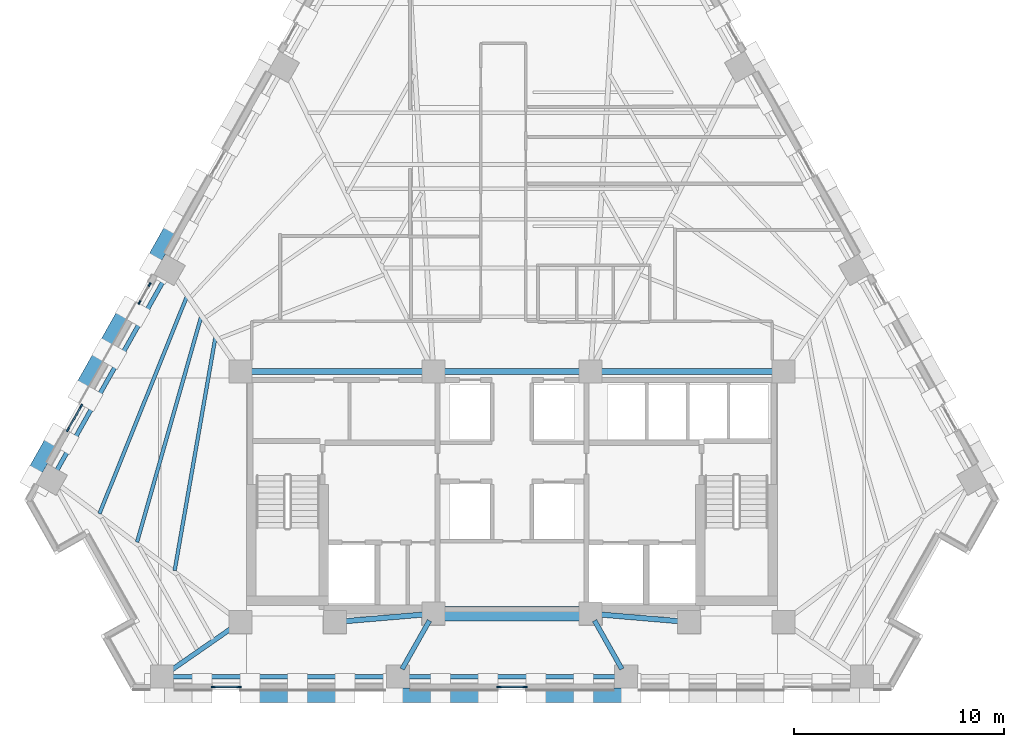
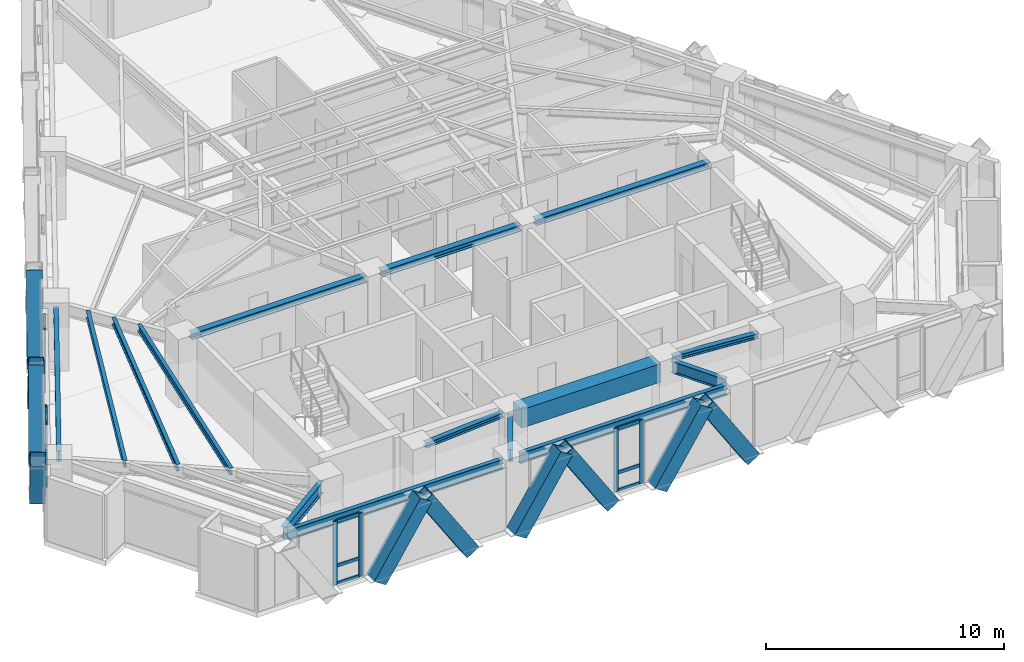
# One storey, part 2 of 13: 27 members, 15 beams, 4 elements without a shape of their own.
"""IFC4 building model written with IfcOpenShell, lengths in metres."""

from ifc_helpers import new_model, si_unit, direction, frame, origin, origin_2d, place, context, subcontext, project, spatial, rectangle, hollow_rectangle, i_section, extrude, material, material_profile, profile_set, type_object, element, aggregate, save


model = new_model("IFC4")

# Units and contexts
model_context = context("Model", 3, precision=1e-05, world=origin(), true_north=direction((0.0, 1.0)))
body_context = subcontext(model_context, "Body", "Model", "MODEL_VIEW")
ifc_project = project(units=[si_unit("LENGTHUNIT", "METRE"), si_unit("AREAUNIT", "SQUARE_METRE"), si_unit("VOLUMEUNIT", "CUBIC_METRE"), si_unit("PLANEANGLEUNIT", "RADIAN"), si_unit("MASSUNIT", "GRAM", prefix="KILO")], contexts=[model_context])

# Site, building, storey
site_placement = place(None, origin())
site = spatial("IfcSite", under=ifc_project, at=site_placement, CompositionType="ELEMENT")
building_placement = place(site_placement, origin())
building = spatial("IfcBuilding", under=site, at=building_placement, Name="Quenlor Broadcast Tower", CompositionType="ELEMENT")
storey_placement = place(building_placement, frame((0.0, 0.0, 116.0)))
storey = spatial("IfcBuildingStorey", under=building, at=storey_placement, Name="L31", CompositionType="ELEMENT", Elevation=116.0)

# Curtain wall, members
ifc_material_1 = material(Name="Architectural Terracotta and Low-E Glazing", Category="masonry")
curtain_wall_type = type_object("IfcCurtainWallType", Name="Unitised Terracotta Curtain Wall System Z2", PredefinedType="NOTDEFINED", material=ifc_material_1)
curtain_wall_1_placement = place(storey_placement, origin())
curtain_wall_1 = element("IfcCurtainWall", 1, at=curtain_wall_1_placement, inside=storey, type_object=curtain_wall_type, Name="L31 Curtain Wall CW2 (L31-SC-G1)", PredefinedType="NOTDEFINED")
ifc_material_2 = material(Name="Aluminium 6063-T6", Category="aluminium")
ifc_material_profile_1 = material_profile(ifc_material_2, rectangle(XDim=0.074951171875, YDim=0.199951171875, at=origin_2d()))
ifc_profile_set_1 = profile_set([ifc_material_profile_1], Name="Aluminium 6063-T6 MULL75x200")
member_type_1 = type_object("IfcMemberType", Name="CW2 Aluminium Mullion MULL_CW2", PredefinedType="MULLION", material=ifc_profile_set_1)
member_1_placement = place(storey_placement, frame((-13.01611328125, -19.840087890625, 0.0), z_axis=(0.0, 0.0, 1.0), x_axis=(0.0, -1.0, 0.0)))
member_1 = element("IfcMember", 2, at=member_1_placement, type_object=member_type_1, Name="CW2 mullion 1", PredefinedType="MULLION", context=body_context, shape_type="SweptSolid", body=[
    extrude(rectangle(XDim=0.074951171875, YDim=0.199951171875, at=origin_2d()), origin(), (0.0, 0.0, 1.0), 3.25),
])
member_2_placement = place(storey_placement, frame((-14.254150390625, -19.840087890625, 0.0), z_axis=(0.0, 0.0, 1.0), x_axis=(0.0, -1.0, 0.0)))
member_2 = element("IfcMember", 3, at=member_2_placement, type_object=member_type_1, Name="CW2 mullion 2", PredefinedType="MULLION", context=body_context, shape_type="SweptSolid", body=[
    extrude(rectangle(XDim=0.074951171875, YDim=0.199951171875, at=origin_2d()), origin(), (0.0, 0.0, 1.0), 3.25),
])

curtain_wall_2_placement = place(storey_placement, origin())
curtain_wall_2 = element("IfcCurtainWall", 4, at=curtain_wall_2_placement, inside=storey, type_object=curtain_wall_type, Name="L31 Curtain Wall CW2 (L31-S-G1)", PredefinedType="NOTDEFINED")
member_3_placement = place(storey_placement, frame((0.618896484375, -19.840087890625, 0.0), z_axis=(0.0, 0.0, 1.0), x_axis=(0.0, -1.0, 0.0)))
member_3 = element("IfcMember", 5, at=member_3_placement, type_object=member_type_1, Name="CW2 mullion 1", PredefinedType="MULLION", context=body_context, shape_type="SweptSolid", body=[
    extrude(rectangle(XDim=0.074951171875, YDim=0.199951171875, at=origin_2d()), origin(), (0.0, 0.0, 1.0), 3.25),
])
member_4_placement = place(storey_placement, frame((-0.618896484375, -19.840087890625, 0.0), z_axis=(0.0, 0.0, 1.0), x_axis=(0.0, -1.0, 0.0)))
member_4 = element("IfcMember", 6, at=member_4_placement, type_object=member_type_1, Name="CW2 mullion 2", PredefinedType="MULLION", context=body_context, shape_type="SweptSolid", body=[
    extrude(rectangle(XDim=0.074951171875, YDim=0.199951171875, at=origin_2d()), origin(), (0.0, 0.0, 1.0), 3.25),
])

curtain_wall_3_placement = place(storey_placement, origin())
curtain_wall_3 = element("IfcCurtainWall", 7, at=curtain_wall_3_placement, inside=storey, type_object=curtain_wall_type, Name="L31 Curtain Wall CW2 (L31-NWA-G1)", PredefinedType="NOTDEFINED")
member_5_placement = place(storey_placement, frame((-21.177734375, -7.57568359375, 0.0), z_axis=(0.0, 0.0, 1.0), x_axis=(-0.871565749621, 0.490278639232, 0.0)))
member_5 = element("IfcMember", 8, at=member_5_placement, type_object=member_type_1, Name="CW2 mullion 1", PredefinedType="MULLION", context=body_context, shape_type="SweptSolid", body=[
    extrude(rectangle(XDim=0.074951171875, YDim=0.199951171875, at=origin_2d()), origin(), (0.0, 0.0, 1.0), 3.25),
])
member_6_placement = place(storey_placement, frame((-20.545654296875, -6.451904296875, 0.0), z_axis=(0.0, 0.0, 1.0), x_axis=(-0.871565749621, 0.490278639232, 0.0)))
member_6 = element("IfcMember", 9, at=member_6_placement, type_object=member_type_1, Name="CW2 mullion 2", PredefinedType="MULLION", context=body_context, shape_type="SweptSolid", body=[
    extrude(rectangle(XDim=0.074951171875, YDim=0.199951171875, at=origin_2d()), origin(), (0.0, 0.0, 1.0), 3.25),
])

curtain_wall_4_placement = place(storey_placement, origin())
curtain_wall_4 = element("IfcCurtainWall", 10, at=curtain_wall_4_placement, inside=storey, type_object=curtain_wall_type, Name="L31 Curtain Wall CW2 (L31-NWA-G2)", PredefinedType="NOTDEFINED")
member_7_placement = place(storey_placement, frame((-17.7646484375, -1.508056640625, 0.0), z_axis=(0.0, 0.0, 1.0), x_axis=(-0.871580587336, 0.490252261371, 0.0)))
member_7 = element("IfcMember", 11, at=member_7_placement, type_object=member_type_1, Name="CW2 mullion 1", PredefinedType="MULLION", context=body_context, shape_type="SweptSolid", body=[
    extrude(rectangle(XDim=0.074951171875, YDim=0.199951171875, at=origin_2d()), origin(), (0.0, 0.0, 1.0), 3.25),
])
member_8_placement = place(storey_placement, frame((-17.282958984375, -0.651611328125, 0.0), z_axis=(0.0, 0.0, 1.0), x_axis=(-0.871580587336, 0.490252261371, 0.0)))
member_8 = element("IfcMember", 12, at=member_8_placement, type_object=member_type_1, Name="CW2 mullion 2", PredefinedType="MULLION", context=body_context, shape_type="SweptSolid", body=[
    extrude(rectangle(XDim=0.074951171875, YDim=0.199951171875, at=origin_2d()), origin(), (0.0, 0.0, 1.0), 3.25),
])
aggregate(curtain_wall_4, [member_7, member_8])

# Member
ifc_material_3 = material(Name="Aluminium 6063-T6", Category="aluminium")
ifc_material_profile_2 = material_profile(ifc_material_3, rectangle(XDim=0.074951171875, YDim=0.1650390625, at=origin_2d()))
ifc_profile_set_2 = profile_set([ifc_material_profile_2], Name="Aluminium 6063-T6 TRAN75x165")
member_type_2 = type_object("IfcMemberType", Name="CW2 Aluminium Transom TRAN_CW2", PredefinedType="USERDEFINED", material=ifc_profile_set_2)
member_9_placement = place(storey_placement, frame((-13.0537109375, -19.840087890625, 0.03759765625), z_axis=(-1.0, 0.0, 0.0), x_axis=(0.0, -1.0, 0.0)))
member_9 = element("IfcMember", 13, at=member_9_placement, type_object=member_type_2, Name="CW2 transom 1.1", ObjectType="TRANSOM", PredefinedType="USERDEFINED", context=body_context, shape_type="SweptSolid", body=[
    extrude(rectangle(XDim=0.074951171875, YDim=0.1650390625, at=origin_2d()), origin(), (0.0, 0.0, 1.0), 1.1630859375),
])

member_10_placement = place(storey_placement, frame((-13.0537109375, -19.840087890625, 0.949951171875), z_axis=(-1.0, 0.0, 0.0), x_axis=(0.0, -1.0, 0.0)))
member_10 = element("IfcMember", 14, at=member_10_placement, type_object=member_type_2, Name="CW2 transom 1.2", ObjectType="TRANSOM", PredefinedType="USERDEFINED", context=body_context, shape_type="SweptSolid", body=[
    extrude(rectangle(XDim=0.074951171875, YDim=0.1650390625, at=origin_2d()), origin(), (0.0, 0.0, 1.0), 1.1630859375),
])

member_11_placement = place(storey_placement, frame((-13.0537109375, -19.840087890625, 3.21240234375), z_axis=(-1.0, 0.0, 0.0), x_axis=(0.0, -1.0, 0.0)))
member_11 = element("IfcMember", 15, at=member_11_placement, type_object=member_type_2, Name="CW2 transom 1.3", ObjectType="TRANSOM", PredefinedType="USERDEFINED", context=body_context, shape_type="SweptSolid", body=[
    extrude(rectangle(XDim=0.074951171875, YDim=0.1650390625, at=origin_2d()), origin(), (0.0, 0.0, 1.0), 1.1630859375),
])

aggregate(curtain_wall_1, [member_1, member_2, member_9, member_10, member_11])

member_12_placement = place(storey_placement, frame((0.58154296875, -19.840087890625, 0.03759765625), z_axis=(-1.0, 0.0, 0.0), x_axis=(0.0, -1.0, 0.0)))
member_12 = element("IfcMember", 16, at=member_12_placement, type_object=member_type_2, Name="CW2 transom 1.1", ObjectType="TRANSOM", PredefinedType="USERDEFINED", context=body_context, shape_type="SweptSolid", body=[
    extrude(rectangle(XDim=0.074951171875, YDim=0.1650390625, at=origin_2d()), origin(), (0.0, 0.0, 1.0), 1.1630859375),
])

member_13_placement = place(storey_placement, frame((0.58154296875, -19.840087890625, 0.949951171875), z_axis=(-1.0, 0.0, 0.0), x_axis=(0.0, -1.0, 0.0)))
member_13 = element("IfcMember", 17, at=member_13_placement, type_object=member_type_2, Name="CW2 transom 1.2", ObjectType="TRANSOM", PredefinedType="USERDEFINED", context=body_context, shape_type="SweptSolid", body=[
    extrude(rectangle(XDim=0.074951171875, YDim=0.1650390625, at=origin_2d()), origin(), (0.0, 0.0, 1.0), 1.1630859375),
])

member_14_placement = place(storey_placement, frame((0.58154296875, -19.840087890625, 3.21240234375), z_axis=(-1.0, 0.0, 0.0), x_axis=(0.0, -1.0, 0.0)))
member_14 = element("IfcMember", 18, at=member_14_placement, type_object=member_type_2, Name="CW2 transom 1.3", ObjectType="TRANSOM", PredefinedType="USERDEFINED", context=body_context, shape_type="SweptSolid", body=[
    extrude(rectangle(XDim=0.074951171875, YDim=0.1650390625, at=origin_2d()), origin(), (0.0, 0.0, 1.0), 1.1630859375),
])

aggregate(curtain_wall_2, [member_3, member_4, member_12, member_13, member_14])

member_15_placement = place(storey_placement, frame((-21.159423828125, -7.54296875, 0.03759765625), z_axis=(0.490347143438, 0.871527210661, 0.0), x_axis=(-0.871527210661, 0.490347143438, 0.0)))
member_15 = element("IfcMember", 19, at=member_15_placement, type_object=member_type_2, Name="CW2 transom 1.1", ObjectType="TRANSOM", PredefinedType="USERDEFINED", context=body_context, shape_type="SweptSolid", body=[
    extrude(rectangle(XDim=0.074951171875, YDim=0.1650390625, at=origin_2d()), origin(), (0.0, 0.0, 1.0), 1.21435546875),
])

member_16_placement = place(storey_placement, frame((-21.159423828125, -7.54296875, 0.949951171875), z_axis=(0.490347143438, 0.871527210661, 0.0), x_axis=(-0.871527210661, 0.490347143438, 0.0)))
member_16 = element("IfcMember", 20, at=member_16_placement, type_object=member_type_2, Name="CW2 transom 1.2", ObjectType="TRANSOM", PredefinedType="USERDEFINED", context=body_context, shape_type="SweptSolid", body=[
    extrude(rectangle(XDim=0.074951171875, YDim=0.1650390625, at=origin_2d()), origin(), (0.0, 0.0, 1.0), 1.21435546875),
])

member_17_placement = place(storey_placement, frame((-21.159423828125, -7.54296875, 3.21240234375), z_axis=(0.490347143438, 0.871527210661, 0.0), x_axis=(-0.871527210661, 0.490347143438, 0.0)))
member_17 = element("IfcMember", 21, at=member_17_placement, type_object=member_type_2, Name="CW2 transom 1.3", ObjectType="TRANSOM", PredefinedType="USERDEFINED", context=body_context, shape_type="SweptSolid", body=[
    extrude(rectangle(XDim=0.074951171875, YDim=0.1650390625, at=origin_2d()), origin(), (0.0, 0.0, 1.0), 1.21435546875),
])

aggregate(curtain_wall_3, [member_5, member_6, member_15, member_16, member_17])

# Beams
ifc_material_4 = material(Name="Concrete C50/60", Category="concrete")
ifc_material_profile_3 = material_profile(ifc_material_4, rectangle(XDim=0.699951171875, YDim=0.949951171875, at=origin_2d()))
ifc_profile_set_3 = profile_set([ifc_material_profile_3], Name="Concrete C50/60 RCB700x950")
beam_type_1 = type_object("IfcBeamType", Name="Core Coupling Beam Concrete C50/60 700x950", PredefinedType="BEAM", material=ifc_profile_set_3)
beam_1_placement = place(storey_placement, frame((-3.389892578125, -16.35009765625, 2.77490234375), z_axis=(1.0, 0.0, 0.0), x_axis=(0.0, 1.0, 0.0)))
element("IfcBeam", 22, at=beam_1_placement, inside=storey, type_object=beam_type_1, Name="L31 Core Coupling Beam 6", PredefinedType="BEAM", context=body_context, shape_type="SweptSolid", body=[
    extrude(rectangle(XDim=0.699951171875, YDim=0.949951171875, at=origin_2d()), origin(), (0.0, 0.0, 1.0), 6.77978515625),
])
ifc_material_5 = material(Name="Steel S355", Category="steel")
ifc_material_profile_4 = material_profile(ifc_material_5, i_section(OverallWidth=0.304931640625, OverallDepth=0.30810546875, WebThickness=0.010009765625, FlangeThickness=0.015380859375, FilletRadius=0.0166015625, at=origin_2d()))
ifc_profile_set_4 = profile_set([ifc_material_profile_4], Name="Steel S355 310UC96.8")
beam_type_2 = type_object("IfcBeamType", Name="Core Header Beam Steel S355 310UC96.8", PredefinedType="BEAM", material=ifc_profile_set_4)
beam_2_placement = place(storey_placement, frame((-3.389892578125, -4.800048828125, 3.095947265625), z_axis=(1.0, 0.0, 0.0), x_axis=(0.0, 1.0, 0.0)))
element("IfcBeam", 23, at=beam_2_placement, inside=storey, type_object=beam_type_2, Name="L31 Core Header Beam 2", PredefinedType="BEAM", context=body_context, shape_type="SweptSolid", body=[
    extrude(i_section(OverallWidth=0.304931640625, OverallDepth=0.30810546875, WebThickness=0.010009765625, FlangeThickness=0.015380859375, FilletRadius=0.0166015625, at=origin_2d()), origin(), (0.0, 0.0, 1.0), 6.77978515625),
])
ifc_material_6 = material(Name="Steel S355", Category="steel")
ifc_material_profile_5 = material_profile(ifc_material_6, i_section(OverallWidth=0.25390625, OverallDepth=0.25390625, WebThickness=0.008544921875, FlangeThickness=0.01416015625, FilletRadius=0.013916015625, at=origin_2d()))
ifc_profile_set_5 = profile_set([ifc_material_profile_5], Name="Steel S355 250UC72.9")
beam_type_3 = type_object("IfcBeamType", Name="Core Opening Lintel Beam Steel S355 250UC72.9", PredefinedType="LINTEL", material=ifc_profile_set_5)
for number, where, z_axis, x_axis, name in (
    (24, (-8.09130859375, -16.719482421875, 3.123046875), (0.996399763903, 0.084779186679, 0.0), (-0.084779186679, 0.996399763903, 0.0), "L31 Core Opening Lintel Beam 4"),
    (25, (4.108642578125, -16.380615234375, 3.123046875), (0.996399763903, -0.084779186679, 0.0), (0.084779186679, 0.996399763903, 0.0), "L31 Core Opening Lintel Beam 5"),
):
    element("IfcBeam", number, at=place(storey_placement, frame(where, z_axis=z_axis, x_axis=x_axis)), inside=storey, type_object=beam_type_3, Name=name, PredefinedType="LINTEL", context=body_context, shape_type="SweptSolid", body=[
        extrude(i_section(OverallWidth=0.25390625, OverallDepth=0.25390625, WebThickness=0.008544921875, FlangeThickness=0.01416015625, FilletRadius=0.013916015625, at=origin_2d()), origin(), (0.0, 0.0, 1.0), 3.9970703125),
    ])
ifc_material_7 = material(Name="Steel S355", Category="steel")
ifc_material_profile_6 = material_profile(ifc_material_7, i_section(OverallWidth=0.306884765625, OverallDepth=0.314697265625, WebThickness=0.011962890625, FlangeThickness=0.018798828125, FilletRadius=0.0166015625, at=origin_2d()))
ifc_profile_set_6 = profile_set([ifc_material_profile_6], Name="Steel S355 310UC118")
beam_type_4 = type_object("IfcBeamType", Name="Core Tie Beam Steel S355 310UC118", PredefinedType="BEAM", material=ifc_profile_set_6)
for number, where, z_axis, x_axis, name in (
    (26, (-12.590087890625, -4.800048828125, 3.0927734375), (1.0, 0.0, 0.0), (0.0, 1.0, 0.0), "L31 Core Tie Beam 1"),
    (27, (4.110107421875, -4.800048828125, 3.0927734375), (1.0, 0.0, 0.0), (0.0, 1.0, 0.0), "L31 Core Tie Beam 3"),
):
    element("IfcBeam", number, at=place(storey_placement, frame(where, z_axis=z_axis, x_axis=x_axis)), inside=storey, type_object=beam_type_4, Name=name, PredefinedType="BEAM", context=body_context, shape_type="SweptSolid", body=[
        extrude(i_section(OverallWidth=0.306884765625, OverallDepth=0.314697265625, WebThickness=0.011962890625, FlangeThickness=0.018798828125, FilletRadius=0.0166015625, at=origin_2d()), origin(), (0.0, 0.0, 1.0), 8.47998046875),
    ])

# Members
ifc_material_8 = material(Name="Steel S355", Category="steel")
ifc_material_profile_7 = material_profile(ifc_material_8, hollow_rectangle(XDim=0.679931640625, YDim=0.679931640625, WallThickness=0.030029296875, at=origin_2d()))
ifc_profile_set_7 = profile_set([ifc_material_profile_7], Name="Steel S355 RHS680x680x30")
member_type_3 = type_object("IfcMemberType", Name="Perimeter Diagonal Lattice Brace Z2 Steel S355 RHS680x30", PredefinedType="BRACE", material=ifc_profile_set_7)
for number, where, z_axis, x_axis, name in (
    (28, (5.667724609375, -20.235107421875, -0.1201171875), (-0.539968035679, 0.0, 0.841685523485), (0.0, -1.0, 0.0), "L31 Perimeter Diamond Lattice S-C2S"),
    (29, (-1.14990234375, -20.235107421875, -0.1201171875), (-0.539968035679, 0.0, 0.841685523485), (0.0, -1.0, 0.0), "L31 Perimeter Diamond Lattice S-C3S"),
    (30, (1.14990234375, -20.235107421875, -0.1201171875), (0.539968035679, 0.0, 0.841685523485), (0.0, 1.0, 0.0), "L31 Perimeter Diamond Lattice S-C3B"),
    (31, (-7.967529296875, -20.235107421875, -0.1201171875), (-0.539968035679, 0.0, 0.841685523485), (0.0, -1.0, 0.0), "L31 Perimeter Diamond Lattice S-C4S"),
    (32, (-5.667724609375, -20.235107421875, -0.1201171875), (0.539968035679, 0.0, 0.841685523485), (0.0, 1.0, 0.0), "L31 Perimeter Diamond Lattice S-C4B"),
    (33, (-12.4853515625, -20.235107421875, -0.1201171875), (0.539968035679, 0.0, 0.841685523485), (0.0, 1.0, 0.0), "L31 Perimeter Diamond Lattice S-C5B"),
):
    element("IfcMember", number, at=place(storey_placement, frame(where, z_axis=z_axis, x_axis=x_axis)), inside=storey, type_object=member_type_3, Name=name, PredefinedType="BRACE", context=body_context, shape_type="SweptSolid", body=[
        extrude(hollow_rectangle(XDim=0.679931640625, YDim=0.679931640625, WallThickness=0.030029296875, at=origin_2d()), origin(), (0.0, 0.0, 1.0), 4.158203125),
    ])
for number, where, z_axis, x_axis, name in (
    (34, (-20.63037109375, -5.796630859375, -0.1201171875), (0.268696511206, 0.477585438485, 0.836489290913), (-0.871532878923, 0.490337068716, 0.0), "L31 Perimeter Diamond Lattice NW-C1S"),
    (35, (-21.781494140625, -7.843505859375, -0.1201171875), (-0.268696511206, -0.477585438485, 0.836489290913), (0.871532878923, -0.490337068716, 0.0), "L31 Perimeter Diamond Lattice NW-C1B"),
    (36, (-17.21728515625, 0.27099609375, -0.1201171875), (0.268696511206, 0.477585438485, 0.836489290913), (-0.871532878923, 0.490337068716, 0.0), "L31 Perimeter Diamond Lattice NW-C2S"),
    (37, (-18.368408203125, -1.77587890625, -0.1201171875), (-0.268696511206, -0.477585438485, 0.836489290913), (0.871532878923, -0.490337068716, 0.0), "L31 Perimeter Diamond Lattice NW-C2B"),
):
    element("IfcMember", number, at=place(storey_placement, frame(where, z_axis=z_axis, x_axis=x_axis)), inside=storey, type_object=member_type_3, Name=name, PredefinedType="BRACE", context=body_context, shape_type="SweptSolid", body=[
        extrude(hollow_rectangle(XDim=0.679931640625, YDim=0.679931640625, WallThickness=0.030029296875, at=origin_2d()), origin(), (0.0, 0.0, 1.0), 4.18408203125),
    ])

# Beams
ifc_material_9 = material(Name="Steel S355", Category="steel")
ifc_material_profile_8 = material_profile(ifc_material_9, i_section(OverallWidth=0.208984375, OverallDepth=0.5283203125, WebThickness=0.009521484375, FlangeThickness=0.01318359375, FilletRadius=0.013916015625, at=origin_2d()))
ifc_profile_set_8 = profile_set([ifc_material_profile_8], Name="Steel S355 530UB82.0")
beam_type_5 = type_object("IfcBeamType", Name="Perimeter Spandrel Beam Z2 Steel S355 530UB82.0", PredefinedType="SPANDREL", material=ifc_profile_set_8)
beam_3_placement = place(storey_placement, frame((-16.282470703125, -19.35009765625, 2.98583984375), z_axis=(1.0, 0.0, 0.0), x_axis=(0.0, 1.0, 0.0)))
element("IfcBeam", 38, at=beam_3_placement, inside=storey, type_object=beam_type_5, Name="L31 Spandrel Beam S1-S2", PredefinedType="SPANDREL", context=body_context, shape_type="SweptSolid", body=[
    extrude(i_section(OverallWidth=0.208984375, OverallDepth=0.5283203125, WebThickness=0.009521484375, FlangeThickness=0.01318359375, FilletRadius=0.013916015625, at=origin_2d()), origin(), (0.0, 0.0, 1.0), 10.42919921875),
])
beam_4_placement = place(storey_placement, frame((-5.033203125, -19.35009765625, 2.98583984375), z_axis=(1.0, 0.0, 0.0), x_axis=(0.0, 1.0, 0.0)))
element("IfcBeam", 39, at=beam_4_placement, inside=storey, type_object=beam_type_5, Name="L31 Spandrel Beam S2-S3", PredefinedType="SPANDREL", context=body_context, shape_type="SweptSolid", body=[
    extrude(i_section(OverallWidth=0.208984375, OverallDepth=0.5283203125, WebThickness=0.009521484375, FlangeThickness=0.01318359375, FilletRadius=0.013916015625, at=origin_2d()), origin(), (0.0, 0.0, 1.0), 10.06640625),
])
beam_5_placement = place(storey_placement, frame((-16.531005859375, -0.314453125, 2.98583984375), z_axis=(-0.490263415828, -0.871574313011, 0.0), x_axis=(0.871574313011, -0.490263415828, 0.0)))
element("IfcBeam", 40, at=beam_5_placement, inside=storey, type_object=beam_type_5, Name="L31 Spandrel Beam NW3-NW4", PredefinedType="SPANDREL", context=body_context, shape_type="SweptSolid", body=[
    extrude(i_section(OverallWidth=0.208984375, OverallDepth=0.5283203125, WebThickness=0.009521484375, FlangeThickness=0.01318359375, FilletRadius=0.013916015625, at=origin_2d()), origin(), (0.0, 0.0, 1.0), 10.65283203125),
])
ifc_material_10 = material(Name="Steel S355", Category="steel")
ifc_material_profile_9 = material_profile(ifc_material_10, i_section(OverallWidth=0.172119140625, OverallDepth=0.358642578125, WebThickness=0.008056640625, FlangeThickness=0.012939453125, FilletRadius=0.011474609375, at=origin_2d()))
ifc_profile_set_9 = profile_set([ifc_material_profile_9], Name="Steel S355 360UB56.7")
beam_type_6 = type_object("IfcBeamType", Name="Tower Composite Joist Z2-Z3 Steel S355 360UB56.7", PredefinedType="JOIST", material=ifc_profile_set_9)
beam_6_placement = place(storey_placement, frame((-16.087890625, -14.29345703125, 3.07080078125), z_axis=(0.172120396521, 0.985075920476, 0.0), x_axis=(-0.985075920476, 0.172120396521, 0.0)))
element("IfcBeam", 41, at=beam_6_placement, inside=storey, type_object=beam_type_6, Name="L31 Secondary Composite Joist 13", PredefinedType="JOIST", context=body_context, shape_type="SweptSolid", body=[
    extrude(i_section(OverallWidth=0.172119140625, OverallDepth=0.358642578125, WebThickness=0.008056640625, FlangeThickness=0.012939453125, FilletRadius=0.011474609375, at=origin_2d()), origin(), (0.0, 0.0, 1.0), 11.27783203125),
])
beam_7_placement = place(storey_placement, frame((-17.880615234375, -12.9365234375, 3.07080078125), z_axis=(0.273563993601, 0.96185380459, 0.0), x_axis=(-0.96185380459, 0.273563993601, 0.0)))
element("IfcBeam", 42, at=beam_7_placement, inside=storey, type_object=beam_type_6, Name="L31 Secondary Composite Joist 14", PredefinedType="JOIST", context=body_context, shape_type="SweptSolid", body=[
    extrude(i_section(OverallWidth=0.172119140625, OverallDepth=0.358642578125, WebThickness=0.008056640625, FlangeThickness=0.012939453125, FilletRadius=0.011474609375, at=origin_2d()), origin(), (0.0, 0.0, 1.0), 11.1484375),
])
beam_8_placement = place(storey_placement, frame((-19.673583984375, -11.580810546875, 3.07080078125), z_axis=(0.373180395983, 0.92775880058, 0.0), x_axis=(-0.92775880058, 0.373180395983, 0.0)))
element("IfcBeam", 43, at=beam_8_placement, inside=storey, type_object=beam_type_6, Name="L31 Secondary Composite Joist 15", PredefinedType="JOIST", context=body_context, shape_type="SweptSolid", body=[
    extrude(i_section(OverallWidth=0.172119140625, OverallDepth=0.358642578125, WebThickness=0.008056640625, FlangeThickness=0.012939453125, FilletRadius=0.011474609375, at=origin_2d()), origin(), (0.0, 0.0, 1.0), 11.143798828125),
])
ifc_material_11 = material(Name="Steel S355", Category="steel")
ifc_material_profile_10 = material_profile(ifc_material_11, i_section(OverallWidth=0.22802734375, OverallDepth=0.60205078125, WebThickness=0.010498046875, FlangeThickness=0.014892578125, FilletRadius=0.013916015625, at=origin_2d()))
ifc_profile_set_10 = profile_set([ifc_material_profile_10], Name="Steel S355 610UB101")
beam_type_7 = type_object("IfcBeamType", Name="Tower Primary Floor Beam Z2 Steel S355 610UB101", PredefinedType="BEAM", material=ifc_profile_set_10)
beam_9_placement = place(storey_placement, frame((-16.355712890625, -19.1162109375, 2.948974609375), z_axis=(0.821227395059, 0.570601056436, 0.0), x_axis=(-0.570601056436, 0.821227395059, 0.0)))
element("IfcBeam", 44, at=beam_9_placement, inside=storey, type_object=beam_type_7, Name="L31 Primary Radial Beam S1", PredefinedType="BEAM", context=body_context, shape_type="SweptSolid", body=[
    extrude(i_section(OverallWidth=0.22802734375, OverallDepth=0.60205078125, WebThickness=0.010498046875, FlangeThickness=0.014892578125, FilletRadius=0.013916015625, at=origin_2d()), origin(), (0.0, 0.0, 1.0), 3.766845703125),
])
for number, where, z_axis, x_axis, name in (
    (45, (-5.24169921875, -18.992919921875, 2.948974609375), (0.491526879548, 0.870862403989, 0.0), (-0.870862403989, 0.491526879548, 0.0), "L31 Primary Radial Beam S2"),
    (46, (5.24169921875, -18.992919921875, 2.948974609375), (-0.491526879548, 0.870862403989, 0.0), (-0.870862403989, -0.491526879548, 0.0), "L31 Primary Radial Beam S3"),
):
    element("IfcBeam", number, at=place(storey_placement, frame(where, z_axis=z_axis, x_axis=x_axis)), inside=storey, type_object=beam_type_7, Name=name, PredefinedType="BEAM", context=body_context, shape_type="SweptSolid", body=[
        extrude(i_section(OverallWidth=0.22802734375, OverallDepth=0.60205078125, WebThickness=0.010498046875, FlangeThickness=0.014892578125, FilletRadius=0.013916015625, at=origin_2d()), origin(), (0.0, 0.0, 1.0), 2.65478515625),
    ])

save(model, "model.ifc")
